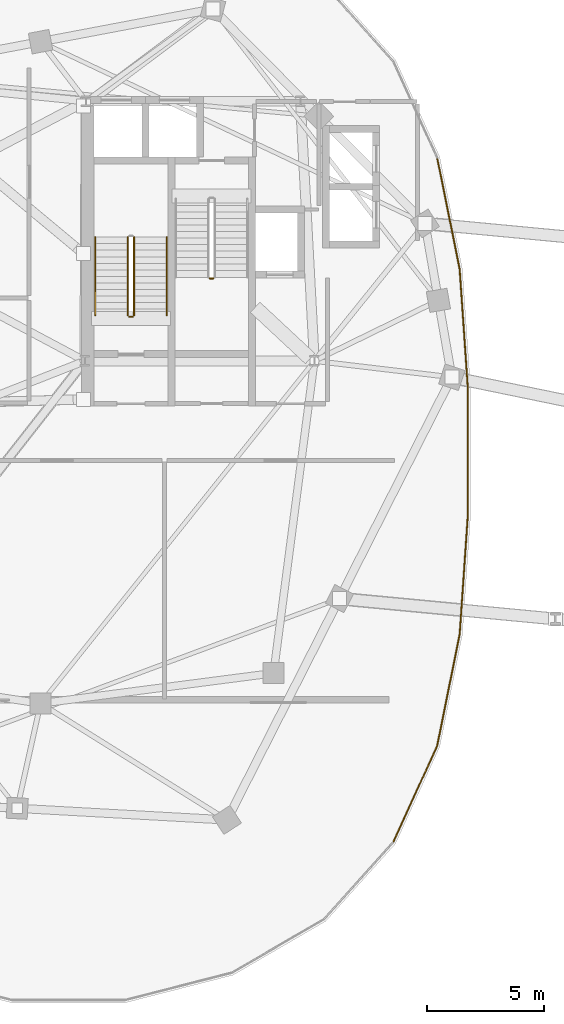
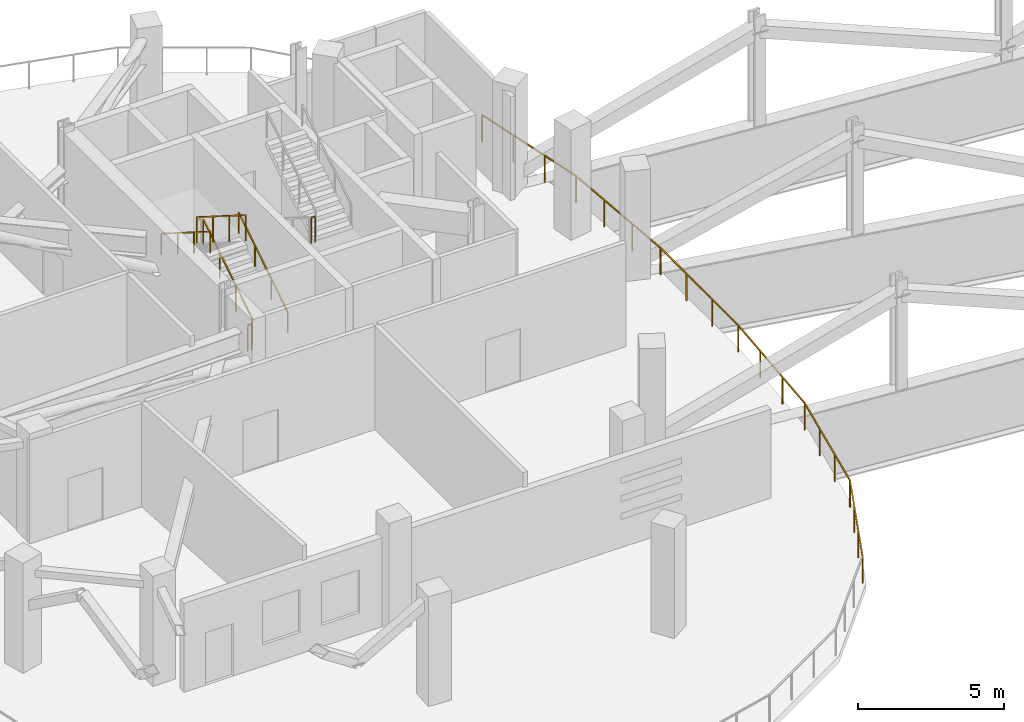
# One storey, part 12 of 16: 9 railings.
"""IFC4 building model written with IfcOpenShell, lengths in metres."""

from ifc_helpers import new_model, si_unit, direction, frame, origin, origin_2d, place, context, subcontext, project, spatial, rectangle, extrude, material, type_object, element, save


model = new_model("IFC4")

# Units and contexts
model_context = context("Model", 3, precision=1e-05, world=origin(), true_north=direction((0.0, 1.0)))
body_context = subcontext(model_context, "Body", "Model", "MODEL_VIEW")
ifc_project = project(units=[si_unit("LENGTHUNIT", "METRE"), si_unit("AREAUNIT", "SQUARE_METRE"), si_unit("VOLUMEUNIT", "CUBIC_METRE"), si_unit("PLANEANGLEUNIT", "RADIAN"), si_unit("MASSUNIT", "GRAM", prefix="KILO"), si_unit("THERMODYNAMICTEMPERATUREUNIT", "KELVIN"), si_unit("POWERUNIT", "WATT")], contexts=[model_context])

# Site, building, storey
site_placement = place(None, origin())
site = spatial("IfcSite", under=ifc_project, at=site_placement, CompositionType="ELEMENT")
building_placement = place(site_placement, origin())
building = spatial("IfcBuilding", under=site, at=building_placement, Name="Cundina Bronze Exchange", CompositionType="ELEMENT")
storey_placement = place(building_placement, frame((0.0, 0.0, 235.0)))
storey = spatial("IfcBuildingStorey", under=building, at=storey_placement, Name="L62", CompositionType="ELEMENT", Elevation=235.0)

# Railings
ifc_material_1 = material(Name="Anodised Bronze Aluminium 6063-T6", Category="aluminium")
railing_type_1 = type_object("IfcRailingType", Name="RLG-GRD-1150", PredefinedType="GUARDRAIL", material=ifc_material_1)
railing_1_placement = place(storey_placement, frame((-14.85791015625, 2.660888671875, 0.0)))
element("IfcRailing", 1, at=railing_1_placement, inside=storey, type_object=railing_type_1, Name="L62 Perimeter Safety Guardrail 01", PredefinedType="GUARDRAIL", context=body_context, shape_type="SweptSolid", body=[
    extrude(rectangle(XDim=0.048095703125, YDim=0.048095703125, at=origin_2d()), frame((0.0, 0.0, 1.1259765625), z_axis=(0.0, -1.0, 0.0), x_axis=(1.0, 0.0, 0.0)), (0.0, 0.0, 1.0), 5.32177734375),
    extrude(rectangle(XDim=0.048095703125, YDim=0.048095703125, at=origin_2d()), frame((0.0, -5.32177734375, 1.1259765625), z_axis=(-0.068548934488, -0.997647755263, 0.0), x_axis=(0.997647755263, -0.068548934488, 0.0)), (0.0, 0.0, 1.0), 5.1962890625),
    extrude(rectangle(XDim=0.0419921875, YDim=0.0419921875, at=origin_2d()), origin(), (0.0, 0.0, 1.0), 1.101806640625),
    extrude(rectangle(XDim=0.0419921875, YDim=0.0419921875, at=origin_2d()), frame((0.0, -1.77392578125, 0.0)), (0.0, 0.0, 1.0), 1.101806640625),
    extrude(rectangle(XDim=0.0419921875, YDim=0.0419921875, at=origin_2d()), frame((0.0, -3.5478515625, 0.0)), (0.0, 0.0, 1.0), 1.101806640625),
    extrude(rectangle(XDim=0.0419921875, YDim=0.0419921875, at=origin_2d()), frame((0.0, -5.32177734375, 0.0)), (0.0, 0.0, 1.0), 1.101806640625),
    extrude(rectangle(XDim=0.0419921875, YDim=0.0419921875, at=origin_2d()), frame((-0.11865234375, -7.0498046875, 0.0)), (0.0, 0.0, 1.0), 1.101806640625),
    extrude(rectangle(XDim=0.0419921875, YDim=0.0419921875, at=origin_2d()), frame((-0.237548828125, -8.77783203125, 0.0)), (0.0, 0.0, 1.0), 1.101806640625),
    extrude(rectangle(XDim=0.0419921875, YDim=0.0419921875, at=origin_2d()), frame((-0.356201171875, -10.505859375, 0.0)), (0.0, 0.0, 1.0), 1.101806640625),
])
railing_2_placement = place(storey_placement, frame((-15.214111328125, -7.844970703125, 0.0)))
element("IfcRailing", 2, at=railing_2_placement, inside=storey, type_object=railing_type_1, Name="L62 Perimeter Safety Guardrail 02", PredefinedType="GUARDRAIL", context=body_context, shape_type="SweptSolid", body=[
    extrude(rectangle(XDim=0.048095703125, YDim=0.048095703125, at=origin_2d()), frame((0.0, 0.0, 1.1259765625), z_axis=(-0.198060616224, -0.980189773616, 0.0), x_axis=(0.980189773616, -0.198060616224, 0.0)), (0.0, 0.0, 1.0), 4.87646484375),
    extrude(rectangle(XDim=0.048095703125, YDim=0.048095703125, at=origin_2d()), frame((-0.9658203125, -4.77978515625, 1.1259765625), z_axis=(-0.415419797692, -0.909629810244, 0.0), x_axis=(0.909629810244, -0.415419797692, 0.0)), (0.0, 0.0, 1.0), 4.548828125),
    extrude(rectangle(XDim=0.0419921875, YDim=0.0419921875, at=origin_2d()), origin(), (0.0, 0.0, 1.0), 1.101806640625),
    extrude(rectangle(XDim=0.0419921875, YDim=0.0419921875, at=origin_2d()), frame((-0.322021484375, -1.59326171875, 0.0)), (0.0, 0.0, 1.0), 1.101806640625),
    extrude(rectangle(XDim=0.0419921875, YDim=0.0419921875, at=origin_2d()), frame((-0.643798828125, -3.1865234375, 0.0)), (0.0, 0.0, 1.0), 1.101806640625),
    extrude(rectangle(XDim=0.0419921875, YDim=0.0419921875, at=origin_2d()), frame((-0.9658203125, -4.77978515625, 0.0)), (0.0, 0.0, 1.0), 1.101806640625),
    extrude(rectangle(XDim=0.0419921875, YDim=0.0419921875, at=origin_2d()), frame((-1.595703125, -6.158935546875, 0.0)), (0.0, 0.0, 1.0), 1.101806640625),
    extrude(rectangle(XDim=0.0419921875, YDim=0.0419921875, at=origin_2d()), frame((-2.2255859375, -7.538330078125, 0.0)), (0.0, 0.0, 1.0), 1.101806640625),
    extrude(rectangle(XDim=0.0419921875, YDim=0.0419921875, at=origin_2d()), frame((-2.85546875, -8.91748046875, 0.0)), (0.0, 0.0, 1.0), 1.101806640625),
])
railing_3_placement = place(storey_placement, frame((-16.179931640625, 12.624755859375, 0.0)))
element("IfcRailing", 3, at=railing_3_placement, inside=storey, type_object=railing_type_1, Name="L62 Perimeter Safety Guardrail 14", PredefinedType="GUARDRAIL", context=body_context, shape_type="SweptSolid", body=[
    extrude(rectangle(XDim=0.048095703125, YDim=0.048095703125, at=origin_2d()), frame((0.0, 0.0, 1.1259765625), z_axis=(0.198060616224, -0.980189773616, 0.0), x_axis=(0.980189773616, 0.198060616224, 0.0)), (0.0, 0.0, 1.0), 4.87646484375),
    extrude(rectangle(XDim=0.048095703125, YDim=0.048095703125, at=origin_2d()), frame((0.9658203125, -4.77978515625, 1.1259765625), z_axis=(0.068548934488, -0.997647755263, 0.0), x_axis=(0.997647755263, 0.068548934488, 0.0)), (0.0, 0.0, 1.0), 5.1962890625),
    extrude(rectangle(XDim=0.0419921875, YDim=0.0419921875, at=origin_2d()), origin(), (0.0, 0.0, 1.0), 1.101806640625),
    extrude(rectangle(XDim=0.0419921875, YDim=0.0419921875, at=origin_2d()), frame((0.322021484375, -1.59326171875, 0.0)), (0.0, 0.0, 1.0), 1.101806640625),
    extrude(rectangle(XDim=0.0419921875, YDim=0.0419921875, at=origin_2d()), frame((0.643798828125, -3.1865234375, 0.0)), (0.0, 0.0, 1.0), 1.101806640625),
    extrude(rectangle(XDim=0.0419921875, YDim=0.0419921875, at=origin_2d()), frame((0.9658203125, -4.77978515625, 0.0)), (0.0, 0.0, 1.0), 1.101806640625),
    extrude(rectangle(XDim=0.0419921875, YDim=0.0419921875, at=origin_2d()), frame((1.08447265625, -6.5078125, 0.0)), (0.0, 0.0, 1.0), 1.101806640625),
    extrude(rectangle(XDim=0.0419921875, YDim=0.0419921875, at=origin_2d()), frame((1.203369140625, -8.23583984375, 0.0)), (0.0, 0.0, 1.0), 1.101806640625),
    extrude(rectangle(XDim=0.0419921875, YDim=0.0419921875, at=origin_2d()), frame((1.322021484375, -9.9638671875, 0.0)), (0.0, 0.0, 1.0), 1.101806640625),
])
ifc_material_2 = material(Name="Steel ASTM A36 Painted", Category="steel")
railing_type_2 = type_object("IfcRailingType", Name="RLG-HND-900", PredefinedType="HANDRAIL", material=ifc_material_2)
railing_4_placement = place(storey_placement, frame((-27.7900390625, 5.85009765625, 0.177001953125)))
element("IfcRailing", 4, at=railing_4_placement, inside=storey, type_object=railing_type_2, Name="L62 ST-W1 stair handrail 1", PredefinedType="HANDRAIL", context=body_context, shape_type="SweptSolid", body=[
    extrude(rectangle(XDim=0.048095703125, YDim=0.048095703125, at=origin_2d()), frame((0.0, 0.0, 0.8759765625), z_axis=(0.0, 0.845372108799, 0.534177870812), x_axis=(-1.0, 0.0, 0.0)), (0.0, 0.0, 1.0), 3.974365234375),
    extrude(rectangle(XDim=0.0419921875, YDim=0.0419921875, at=origin_2d()), origin(), (0.0, 0.0, 1.0), 0.851806640625),
    extrude(rectangle(XDim=0.0419921875, YDim=0.0419921875, at=origin_2d()), frame((0.0, 1.119873046875, 0.707763671875)), (0.0, 0.0, 1.0), 0.851806640625),
    extrude(rectangle(XDim=0.0419921875, YDim=0.0419921875, at=origin_2d()), frame((0.0, 2.239990234375, 1.415283203125)), (0.0, 0.0, 1.0), 0.851806640625),
    extrude(rectangle(XDim=0.0419921875, YDim=0.0419921875, at=origin_2d()), frame((0.0, 3.35986328125, 2.123046875)), (0.0, 0.0, 1.0), 0.851806640625),
])
railing_5_placement = place(storey_placement, frame((-30.85009765625, 9.2099609375, 2.476806640625)))
element("IfcRailing", 5, at=railing_5_placement, inside=storey, type_object=railing_type_2, Name="L62 ST-W1 stair handrail 2", PredefinedType="HANDRAIL", context=body_context, shape_type="SweptSolid", body=[
    extrude(rectangle(XDim=0.048095703125, YDim=0.048095703125, at=origin_2d()), frame((0.0, 0.0, 0.8759765625), z_axis=(0.0, -0.845344368971, 0.534221768416), x_axis=(1.0, 0.0, 0.0)), (0.0, 0.0, 1.0), 3.974609375),
    extrude(rectangle(XDim=0.0419921875, YDim=0.0419921875, at=origin_2d()), origin(), (0.0, 0.0, 1.0), 0.851806640625),
    extrude(rectangle(XDim=0.0419921875, YDim=0.0419921875, at=origin_2d()), frame((0.0, -1.119873046875, 0.707763671875)), (0.0, 0.0, 1.0), 0.851806640625),
    extrude(rectangle(XDim=0.0419921875, YDim=0.0419921875, at=origin_2d()), frame((0.0, -2.239990234375, 1.41552734375)), (0.0, 0.0, 1.0), 0.851806640625),
    extrude(rectangle(XDim=0.0419921875, YDim=0.0419921875, at=origin_2d()), frame((0.0, -3.35986328125, 2.123291015625)), (0.0, 0.0, 1.0), 0.851806640625),
])
railing_type_3 = type_object("IfcRailingType", Name="RLG-STG-1100", PredefinedType="GUARDRAIL", material=ifc_material_2)
railing_6_placement = place(storey_placement, frame((-29.18994140625, 5.85009765625, 0.177001953125)))
element("IfcRailing", 6, at=railing_6_placement, inside=storey, type_object=railing_type_3, Name="L62 ST-W1 stair guard 1", PredefinedType="GUARDRAIL", context=body_context, shape_type="SweptSolid", body=[
    extrude(rectangle(XDim=0.048095703125, YDim=0.048095703125, at=origin_2d()), frame((0.0, 0.0, 1.076171875), z_axis=(0.0, 0.845372108799, 0.534177870812), x_axis=(-1.0, 0.0, 0.0)), (0.0, 0.0, 1.0), 3.974365234375),
    extrude(rectangle(XDim=0.0419921875, YDim=0.0419921875, at=origin_2d()), origin(), (0.0, 0.0, 1.0), 1.052001953125),
    extrude(rectangle(XDim=0.0419921875, YDim=0.0419921875, at=origin_2d()), frame((0.0, 1.119873046875, 0.707763671875)), (0.0, 0.0, 1.0), 1.052001953125),
    extrude(rectangle(XDim=0.0419921875, YDim=0.0419921875, at=origin_2d()), frame((0.0, 2.239990234375, 1.415283203125)), (0.0, 0.0, 1.0), 1.052001953125),
    extrude(rectangle(XDim=0.0419921875, YDim=0.0419921875, at=origin_2d()), frame((0.0, 3.35986328125, 2.123046875)), (0.0, 0.0, 1.0), 1.052001953125),
])
railing_7_placement = place(storey_placement, frame((-29.449951171875, 9.2099609375, 2.476806640625)))
element("IfcRailing", 7, at=railing_7_placement, inside=storey, type_object=railing_type_3, Name="L62 ST-W1 stair guard 3", PredefinedType="GUARDRAIL", context=body_context, shape_type="SweptSolid", body=[
    extrude(rectangle(XDim=0.048095703125, YDim=0.048095703125, at=origin_2d()), frame((0.0, 0.0, 1.076171875), z_axis=(0.0, -0.845344368971, 0.534221768416), x_axis=(1.0, 0.0, 0.0)), (0.0, 0.0, 1.0), 3.974609375),
    extrude(rectangle(XDim=0.0419921875, YDim=0.0419921875, at=origin_2d()), origin(), (0.0, 0.0, 1.0), 1.052001953125),
    extrude(rectangle(XDim=0.0419921875, YDim=0.0419921875, at=origin_2d()), frame((0.0, -1.119873046875, 0.707763671875)), (0.0, 0.0, 1.0), 1.052001953125),
    extrude(rectangle(XDim=0.0419921875, YDim=0.0419921875, at=origin_2d()), frame((0.0, -2.239990234375, 1.41552734375)), (0.0, 0.0, 1.0), 1.052001953125),
    extrude(rectangle(XDim=0.0419921875, YDim=0.0419921875, at=origin_2d()), frame((0.0, -3.35986328125, 2.123291015625)), (0.0, 0.0, 1.0), 1.052001953125),
])
railing_8_placement = place(storey_placement, frame((-29.239990234375, 5.800048828125, 0.0)))
element("IfcRailing", 8, at=railing_8_placement, inside=storey, type_object=railing_type_3, Name="L62 ST-W1 stair guard 4", PredefinedType="GUARDRAIL", context=body_context, shape_type="SweptSolid", body=[
    extrude(rectangle(XDim=0.048095703125, YDim=0.048095703125, at=origin_2d()), frame((0.0, 0.0, 1.076171875), z_axis=(-1.0, 0.0, 0.0), x_axis=(0.0, -1.0, 0.0)), (0.0, 0.0, 1.0), 0.159912109375),
    extrude(rectangle(XDim=0.0419921875, YDim=0.0419921875, at=origin_2d()), origin(), (0.0, 0.0, 1.0), 1.052001953125),
    extrude(rectangle(XDim=0.0419921875, YDim=0.0419921875, at=origin_2d()), frame((-0.159912109375, 0.0, 0.0)), (0.0, 0.0, 1.0), 1.052001953125),
])
railing_9_placement = place(storey_placement, frame((-25.93994140625, 7.43994140625, 2.300048828125)))
element("IfcRailing", 9, at=railing_9_placement, inside=storey, type_object=railing_type_3, Name="L62 ST-W2 stair guard 2", PredefinedType="GUARDRAIL", context=body_context, shape_type="SweptSolid", body=[
    extrude(rectangle(XDim=0.048095703125, YDim=0.048095703125, at=origin_2d()), frame((0.0, 0.0, 1.076171875), z_axis=(1.0, 0.0, 0.0), x_axis=(0.0, 1.0, 0.0)), (0.0, 0.0, 1.0), 0.159912109375),
    extrude(rectangle(XDim=0.0419921875, YDim=0.0419921875, at=origin_2d()), origin(), (0.0, 0.0, 1.0), 1.052001953125),
    extrude(rectangle(XDim=0.0419921875, YDim=0.0419921875, at=origin_2d()), frame((0.159912109375, 0.0, 0.0)), (0.0, 0.0, 1.0), 1.052001953125),
])

save(model, "model.ifc")
